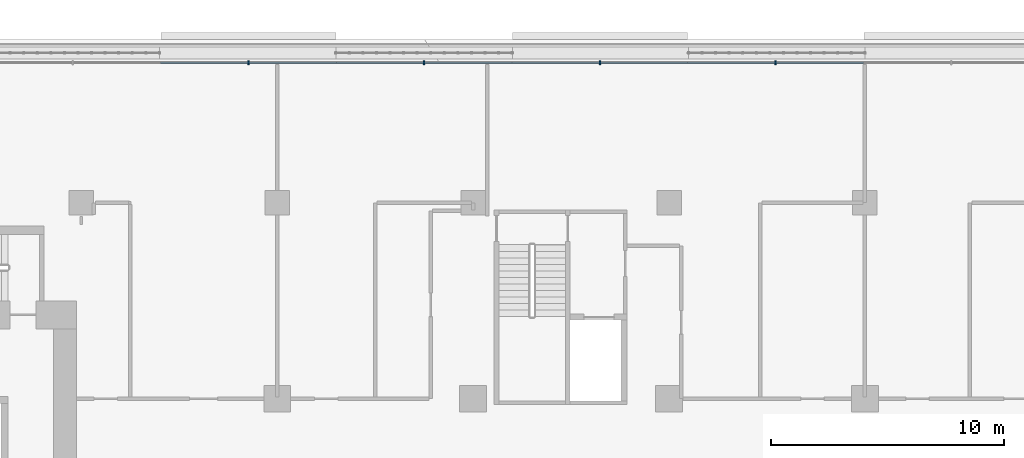
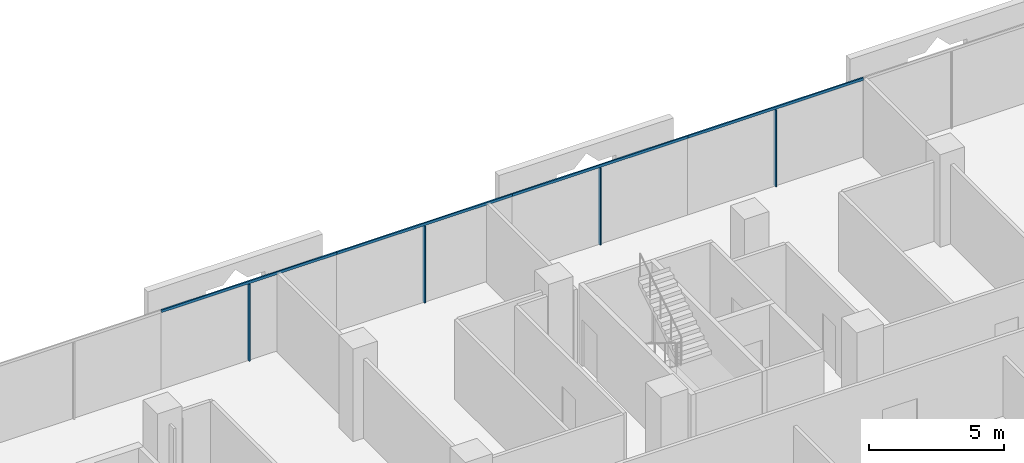
# One storey, part 9 of 27: 8 members, 1 element without a shape of its own.
"""IFC4 building model written with IfcOpenShell, lengths in metres."""

from ifc_helpers import new_model, si_unit, direction, frame, origin, origin_2d, place, context, subcontext, project, spatial, rectangle, extrude, material, layer, layer_set, material_profile, profile_set, type_object, element, aggregate, save


model = new_model("IFC4")

# Units and contexts
model_context = context("Model", 3, precision=1e-05, world=origin(), true_north=direction((0.0, 1.0)))
body_context = subcontext(model_context, "Body", "Model", "MODEL_VIEW")
ifc_project = project(units=[si_unit("LENGTHUNIT", "METRE"), si_unit("AREAUNIT", "SQUARE_METRE"), si_unit("VOLUMEUNIT", "CUBIC_METRE"), si_unit("PLANEANGLEUNIT", "RADIAN"), si_unit("MASSUNIT", "GRAM", prefix="KILO")], contexts=[model_context])

# Site, building, storey
site_placement = place(None, origin())
site = spatial("IfcSite", under=ifc_project, at=site_placement, CompositionType="ELEMENT")
building_placement = place(site_placement, origin())
building = spatial("IfcBuilding", under=site, at=building_placement, Name="Kawkab Arch Medical Tower", CompositionType="ELEMENT")
storey_placement = place(building_placement, frame((0.0, 0.0, 103.0)))
storey = spatial("IfcBuildingStorey", under=building, at=storey_placement, Name="L23", CompositionType="ELEMENT", Elevation=103.0)

# Curtain wall, members
ifc_material_1 = material(Name="Bronze anodised aluminium curtain wall frame", Category="aluminium")
ifc_layer = layer(ifc_material_1, 0.159912109375)
ifc_layer_set = layer_set([ifc_layer], Name="Bronze anodised aluminium curtain wall frame")
curtain_wall_type = type_object("IfcCurtainWallType", Name="CW1 ward curtain wall", PredefinedType="NOTDEFINED", material=ifc_layer_set)
curtain_wall_placement = place(storey_placement, origin())
curtain_wall = element("IfcCurtainWall", 1, at=curtain_wall_placement, inside=storey, type_object=curtain_wall_type, Name="CW1 Ward curtain wall R11", PredefinedType="NOTDEFINED")
ifc_material_2 = material(Name="Bronze anodised aluminium curtain wall frame", Category="aluminium")
ifc_material_profile_1 = material_profile(ifc_material_2, rectangle(XDim=0.179931640625, YDim=0.06005859375, at=origin_2d()), Name="AL 60x180")
ifc_profile_set_1 = profile_set([ifc_material_profile_1], Name="Bronze anodised aluminium curtain wall frame")
member_type_1 = type_object("IfcMemberType", Name="CW1 mullion 60 x 180", PredefinedType="MULLION", material=ifc_profile_set_1)
member_1_placement = place(storey_placement, frame((54.966552734375, 6.0, 0.0), z_axis=(0.0, 0.0, 1.0), x_axis=(0.0, -1.0, 0.0)))
member_1 = element("IfcMember", 2, at=member_1_placement, type_object=member_type_1, Name="CW1 mullion 3.1", PredefinedType="MULLION", context=body_context, shape_type="SweptSolid", body=[
    extrude(rectangle(XDim=0.179931640625, YDim=0.06005859375, at=origin_2d()), origin(), (0.0, 0.0, 1.0), 3.47998046875),
])
member_2_placement = place(storey_placement, frame((47.433349609375, 6.0, 0.0), z_axis=(0.0, 0.0, 1.0), x_axis=(0.0, -1.0, 0.0)))
member_2 = element("IfcMember", 3, at=member_2_placement, type_object=member_type_1, Name="CW1 mullion 4.1", PredefinedType="MULLION", context=body_context, shape_type="SweptSolid", body=[
    extrude(rectangle(XDim=0.179931640625, YDim=0.06005859375, at=origin_2d()), origin(), (0.0, 0.0, 1.0), 3.47998046875),
])
member_3_placement = place(storey_placement, frame((39.89990234375, 6.0, 0.0), z_axis=(0.0, 0.0, 1.0), x_axis=(0.0, -1.0, 0.0)))
member_3 = element("IfcMember", 4, at=member_3_placement, type_object=member_type_1, Name="CW1 mullion 5.1", PredefinedType="MULLION", context=body_context, shape_type="SweptSolid", body=[
    extrude(rectangle(XDim=0.179931640625, YDim=0.06005859375, at=origin_2d()), origin(), (0.0, 0.0, 1.0), 3.47998046875),
])
member_4_placement = place(storey_placement, frame((32.36669921875, 6.0, 0.0), z_axis=(0.0, 0.0, 1.0), x_axis=(0.0, -1.0, 0.0)))
member_4 = element("IfcMember", 5, at=member_4_placement, type_object=member_type_1, Name="CW1 mullion 6.1", PredefinedType="MULLION", context=body_context, shape_type="SweptSolid", body=[
    extrude(rectangle(XDim=0.179931640625, YDim=0.06005859375, at=origin_2d()), origin(), (0.0, 0.0, 1.0), 3.47998046875),
])
ifc_material_3 = material(Name="Bronze anodised aluminium curtain wall frame", Category="aluminium")
ifc_material_profile_2 = material_profile(ifc_material_3, rectangle(XDim=0.06005859375, YDim=0.1201171875, at=origin_2d()), Name="AL 60x120")
ifc_profile_set_2 = profile_set([ifc_material_profile_2], Name="Bronze anodised aluminium curtain wall frame")
member_type_2 = type_object("IfcMemberType", Name="CW1 transom 120 x 60", PredefinedType="USERDEFINED", material=ifc_profile_set_2)
member_5_placement = place(storey_placement, frame((58.7333984375, 6.0, 3.5400390625), z_axis=(-1.0, 0.0, 0.0), x_axis=(0.0, -1.0, 0.0)))
member_5 = element("IfcMember", 6, at=member_5_placement, type_object=member_type_2, Name="CW1 transom 3", ObjectType="TRANSOM", PredefinedType="USERDEFINED", context=body_context, shape_type="SweptSolid", body=[
    extrude(rectangle(XDim=0.06005859375, YDim=0.1201171875, at=origin_2d()), origin(), (0.0, 0.0, 1.0), 7.533447265625),
])
member_6_placement = place(storey_placement, frame((51.199951171875, 6.0, 3.5400390625), z_axis=(-1.0, 0.0, 0.0), x_axis=(0.0, -1.0, 0.0)))
member_6 = element("IfcMember", 7, at=member_6_placement, type_object=member_type_2, Name="CW1 transom 4", ObjectType="TRANSOM", PredefinedType="USERDEFINED", context=body_context, shape_type="SweptSolid", body=[
    extrude(rectangle(XDim=0.06005859375, YDim=0.1201171875, at=origin_2d()), origin(), (0.0, 0.0, 1.0), 7.533203125),
])
member_7_placement = place(storey_placement, frame((43.666748046875, 6.0, 3.5400390625), z_axis=(-1.0, 0.0, 0.0), x_axis=(0.0, -1.0, 0.0)))
member_7 = element("IfcMember", 8, at=member_7_placement, type_object=member_type_2, Name="CW1 transom 5", ObjectType="TRANSOM", PredefinedType="USERDEFINED", context=body_context, shape_type="SweptSolid", body=[
    extrude(rectangle(XDim=0.06005859375, YDim=0.1201171875, at=origin_2d()), origin(), (0.0, 0.0, 1.0), 7.533447265625),
])
member_8_placement = place(storey_placement, frame((36.13330078125, 6.0, 3.5400390625), z_axis=(-1.0, 0.0, 0.0), x_axis=(0.0, -1.0, 0.0)))
member_8 = element("IfcMember", 9, at=member_8_placement, type_object=member_type_2, Name="CW1 transom 6", ObjectType="TRANSOM", PredefinedType="USERDEFINED", context=body_context, shape_type="SweptSolid", body=[
    extrude(rectangle(XDim=0.06005859375, YDim=0.1201171875, at=origin_2d()), origin(), (0.0, 0.0, 1.0), 7.533203125),
])
aggregate(curtain_wall, [member_5, member_1, member_6, member_2, member_7, member_3, member_8, member_4])

save(model, "model.ifc")
